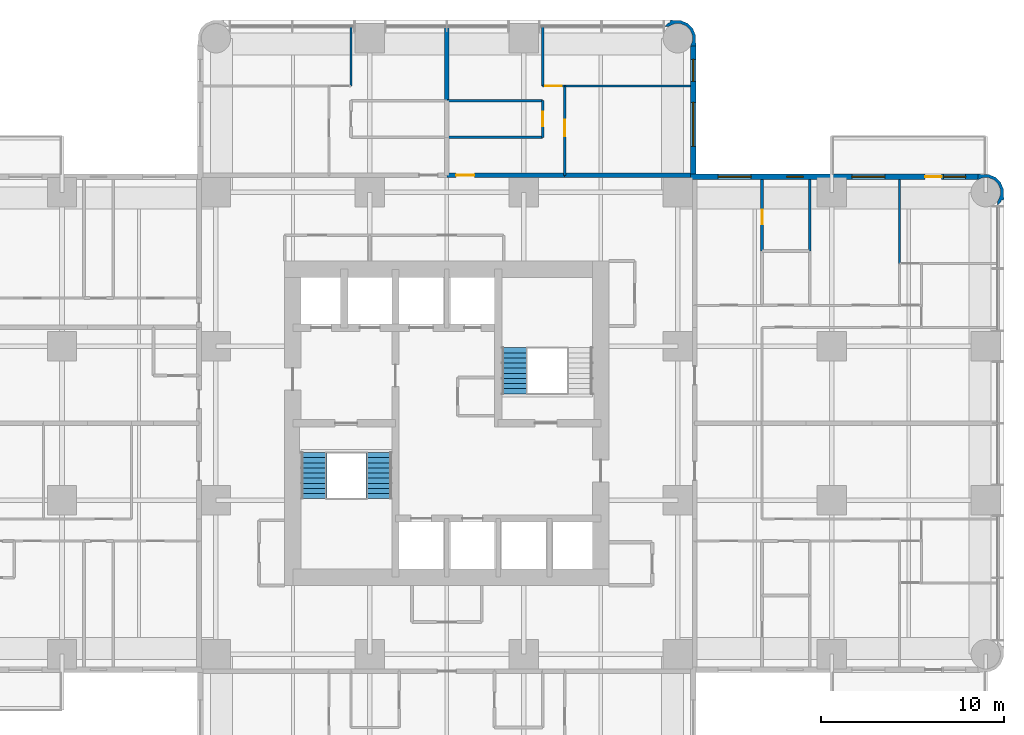
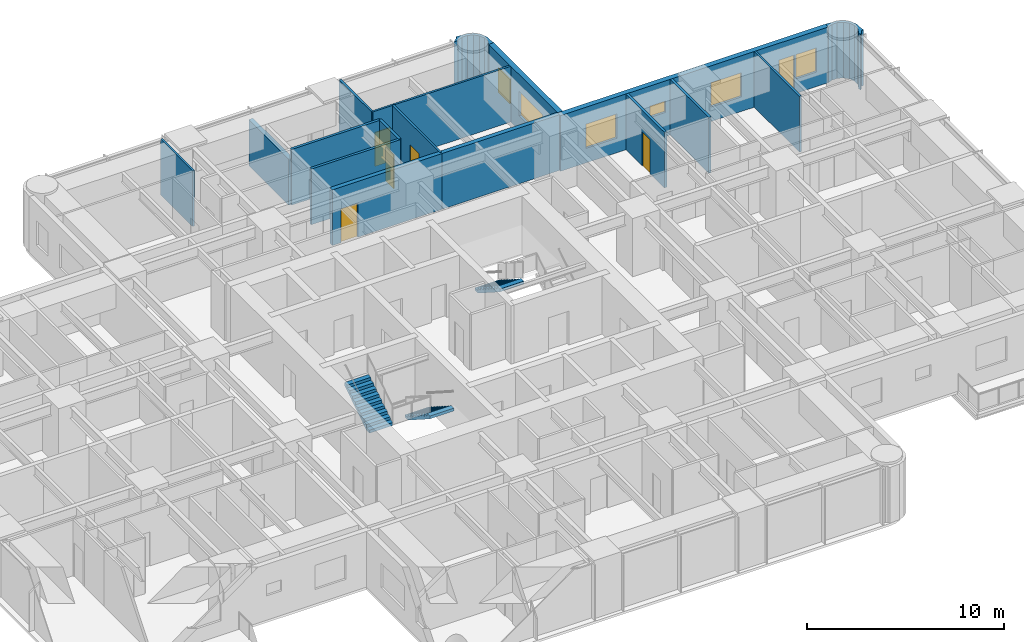
# One storey, part 12 of 15: 18 walls, 6 doors, 6 windows, 3 stair flights, 12 openings, 2 elements without a shape of their own.
"""IFC4 building model written with IfcOpenShell, lengths in metres."""

from ifc_helpers import new_model, si_unit, direction, frame, frame_2d, origin, place, context, subcontext, project, spatial, polyline, rectangle, outline, extrude, material, layer, layer_set, type_object, element, fill, aggregate, save


model = new_model("IFC4")

# Units and contexts
model_context = context("Model", 3, precision=1e-05, world=origin(), true_north=direction((0.0, 1.0)))
body_context = subcontext(model_context, "Body", "Model", "MODEL_VIEW")
ifc_project = project(units=[si_unit("LENGTHUNIT", "METRE"), si_unit("AREAUNIT", "SQUARE_METRE"), si_unit("VOLUMEUNIT", "CUBIC_METRE"), si_unit("PLANEANGLEUNIT", "RADIAN"), si_unit("MASSUNIT", "GRAM", prefix="KILO")], contexts=[model_context])

# Site, building, storey
site_placement = place(None, origin())
site = spatial("IfcSite", under=ifc_project, at=site_placement, CompositionType="ELEMENT")
building_placement = place(site_placement, origin())
building = spatial("IfcBuilding", under=site, at=building_placement, Name="Torre Alcanfor", CompositionType="ELEMENT")
storey_placement = place(building_placement, frame((0.0, 0.0, 123.300048828125)))
storey = spatial("IfcBuildingStorey", under=building, at=storey_placement, Name="L31", CompositionType="ELEMENT", Elevation=123.300048828125)

# Wall, opening, door
ifc_material_1 = material(Name="Concrete block masonry, hollow blocks NMX-C-404 9 MPa", Category="masonry")
ifc_layer_1 = layer(ifc_material_1, 0.25)
ifc_layer_set_1 = layer_set([ifc_layer_1], Name="Apartment entrance wall 250 EI 60")
wall_type_1 = type_object("IfcWallType", Name="Apartment entrance wall 250 EI 60", PredefinedType="PARTITIONING", material=ifc_layer_set_1)
wall_1_placement = place(storey_placement, frame((29.39990234375, 42.925048828125, 0.0), z_axis=(0.0, 0.0, 1.0), x_axis=(1.0, 0.0, 0.0)))
wall_1 = element("IfcWall", 1, at=wall_1_placement, inside=storey, type_object=wall_type_1, Name="Partition L31-CORR / L31-N2-LIVING", PredefinedType="PARTITIONING", context=body_context, shape_type="SweptSolid", body=[
    extrude(rectangle(XDim=6.42919921875, YDim=0.25, at=frame_2d((3.214599609375, 0.0))), origin(), (0.0, 0.0, 1.0), 3.449951171875),
])
opening_1_placement = place(wall_1_placement, frame((0.5, 0.0, 0.0)))
opening_1 = element("IfcOpeningElement", 2, at=opening_1_placement, cuts=wall_1, Name="Opening D-A1", PredefinedType="OPENING", context=body_context, shape_type="SweptSolid", body=[
    extrude(rectangle(XDim=1.0, YDim=2.10009765625, at=frame_2d((0.5, 1.050048828125))), frame((0.0, 0.135009765625, 0.0), z_axis=(0.0, -1.0, 0.0), x_axis=(1.0, 0.0, 0.0)), (0.0, 0.0, 1.0), 0.27001953125),
])
ifc_material_2 = material(Name="Galvanised steel sheet ASTM A653", Category="steel")
door_type_1 = type_object("IfcDoorType", Name="Apartment entrance door FD60 1000x2100", OperationType="SINGLE_SWING_LEFT", PredefinedType="DOOR", material=ifc_material_2)
door_1_placement = place(opening_1_placement, origin())
door_1 = element("IfcDoor", 3, at=door_1_placement, inside=storey, type_object=door_type_1, Name="Apartment entrance L31-N2", OperationType="SINGLE_SWING_LEFT", OverallHeight=2.10009765625, OverallWidth=1.0, PredefinedType="DOOR", context=body_context, shape_type="SweptSolid", body=[
    extrude(rectangle(XDim=1.0, YDim=2.10009765625, at=frame_2d((0.5, 1.050048828125))), frame((0.0, 0.02490234375, 0.0), z_axis=(0.0, -1.0, 0.0), x_axis=(1.0, 0.0, 0.0)), (0.0, 0.0, 1.0), 0.050048828125),
])
fill(opening_1, door_1)

# Walls
wall_2_placement = place(storey_placement, frame((35.8291015625, 42.925048828125, 0.0), z_axis=(0.0, 0.0, 1.0), x_axis=(1.0, 0.0, 0.0)))
element("IfcWall", 4, at=wall_2_placement, inside=storey, type_object=wall_type_1, Name="Partition L31-CORR / L31-N2-BED2", PredefinedType="PARTITIONING", context=body_context, shape_type="SweptSolid", body=[
    extrude(rectangle(XDim=6.870849609375, YDim=0.25, at=frame_2d((3.435546875, 0.0))), origin(), (0.0, 0.0, 1.0), 3.449951171875),
])
ifc_material_3 = material(Name="Gypsum board on steel studs", Category="steel")
ifc_layer_2 = layer(ifc_material_3, 0.1201171875)
ifc_layer_set_2 = layer_set([ifc_layer_2], Name="Apartment partition 120")
wall_type_2 = type_object("IfcWallType", Name="Apartment partition 120", PredefinedType="PARTITIONING", material=ifc_layer_set_2)
wall_3_placement = place(storey_placement, frame((24.1708984375, 47.800048828125, 0.0), z_axis=(0.0, 0.0, 1.0), x_axis=(0.0, 1.0, 0.0)))
element("IfcWall", 5, at=wall_3_placement, inside=storey, type_object=wall_type_2, Name="Partition L31-N1-LIVING / L31-N1-MASTER", PredefinedType="PARTITIONING", context=body_context, shape_type="SweptSolid", body=[
    extrude(rectangle(XDim=3.25, YDim=0.1201171875, at=frame_2d((1.625, 0.0))), origin(), (0.0, 0.0, 1.0), 3.449951171875),
])

# Wall, opening, door
wall_4_placement = place(storey_placement, frame((35.8291015625, 47.800048828125, 0.0), z_axis=(0.0, 0.0, 1.0), x_axis=(0.0, -1.0, 0.0)))
wall_4 = element("IfcWall", 6, at=wall_4_placement, inside=storey, type_object=wall_type_2, Name="Partition L31-N2-LIVING / L31-N2-BED2", PredefinedType="PARTITIONING", context=body_context, shape_type="SweptSolid", body=[
    extrude(rectangle(XDim=4.875, YDim=0.1201171875, at=frame_2d((2.4375, 0.0))), origin(), (0.0, 0.0, 1.0), 3.449951171875),
])
opening_2_placement = place(wall_4_placement, frame((1.85009765625, 0.0, 0.0)))
opening_2 = element("IfcOpeningElement", 7, at=opening_2_placement, cuts=wall_4, Name="Opening D-R1", PredefinedType="OPENING", context=body_context, shape_type="SweptSolid", body=[
    extrude(rectangle(XDim=0.89990234375, YDim=2.10009765625, at=frame_2d((0.449951171875, 1.050048828125))), frame((0.0, 0.070068359375, 0.0), z_axis=(0.0, -1.0, 0.0), x_axis=(1.0, 0.0, 0.0)), (0.0, 0.0, 1.0), 0.14013671875),
])
ifc_material_4 = material(Name="Timber", Category="wood")
door_type_2 = type_object("IfcDoorType", Name="Internal door 900x2100", OperationType="SINGLE_SWING_LEFT", PredefinedType="DOOR", material=ifc_material_4)
door_2_placement = place(opening_2_placement, origin())
door_2 = element("IfcDoor", 8, at=door_2_placement, inside=storey, type_object=door_type_2, Name="Door L31-N2 bed2", OperationType="SINGLE_SWING_LEFT", OverallHeight=2.10009765625, OverallWidth=0.89990234375, PredefinedType="DOOR", context=body_context, shape_type="SweptSolid", body=[
    extrude(rectangle(XDim=0.89990234375, YDim=2.10009765625, at=frame_2d((0.449951171875, 1.050048828125))), frame((0.0, 0.02490234375, 0.0), z_axis=(0.0, -1.0, 0.0), x_axis=(1.0, 0.0, 0.0)), (0.0, 0.0, 1.0), 0.050048828125),
])
fill(opening_2, door_2)

# Wall
wall_5_placement = place(storey_placement, frame((34.62890625, 51.050048828125, 0.0), z_axis=(0.0, 0.0, 1.0), x_axis=(0.0, -1.0, 0.0)))
element("IfcWall", 9, at=wall_5_placement, inside=storey, type_object=wall_type_2, Name="Partition L31-N2-LIVING / L31-N2-MASTER", PredefinedType="PARTITIONING", context=body_context, shape_type="SweptSolid", body=[
    extrude(rectangle(XDim=3.25, YDim=0.1201171875, at=frame_2d((1.625, 0.0))), origin(), (0.0, 0.0, 1.0), 3.449951171875),
])

# Wall, opening, door
wall_6_placement = place(storey_placement, frame((34.62890625, 47.800048828125, 0.0), z_axis=(0.0, 0.0, 1.0), x_axis=(1.0, 0.0, 0.0)))
wall_6 = element("IfcWall", 10, at=wall_6_placement, inside=storey, type_object=wall_type_2, Name="Partition L31-N2-LIVING / L31-N2-MASTER", PredefinedType="PARTITIONING", context=body_context, shape_type="SweptSolid", body=[
    extrude(rectangle(XDim=1.2001953125, YDim=0.1201171875, at=frame_2d((0.60009765625, 0.0))), origin(), (0.0, 0.0, 1.0), 3.449951171875),
])
opening_3_placement = place(wall_6_placement, frame((0.15087890625, 0.0, 0.0)))
opening_3 = element("IfcOpeningElement", 11, at=opening_3_placement, cuts=wall_6, Name="Opening D-R1", PredefinedType="OPENING", context=body_context, shape_type="SweptSolid", body=[
    extrude(rectangle(XDim=0.89990234375, YDim=2.10009765625, at=frame_2d((0.449951171875, 1.050048828125))), frame((0.0, 0.070068359375, 0.0), z_axis=(0.0, -1.0, 0.0), x_axis=(1.0, 0.0, 0.0)), (0.0, 0.0, 1.0), 0.14013671875),
])
door_3_placement = place(opening_3_placement, origin())
door_3 = element("IfcDoor", 12, at=door_3_placement, inside=storey, type_object=door_type_2, Name="Door L31-N2 master", OperationType="SINGLE_SWING_LEFT", OverallHeight=2.10009765625, OverallWidth=0.89990234375, PredefinedType="DOOR", context=body_context, shape_type="SweptSolid", body=[
    extrude(rectangle(XDim=0.89990234375, YDim=2.10009765625, at=frame_2d((0.449951171875, 1.050048828125))), frame((0.0, 0.02490234375, 0.0), z_axis=(0.0, -1.0, 0.0), x_axis=(1.0, 0.0, 0.0)), (0.0, 0.0, 1.0), 0.050048828125),
])
fill(opening_3, door_3)

# Walls
wall_7_placement = place(storey_placement, frame((35.8291015625, 47.800048828125, 0.0), z_axis=(0.0, 0.0, 1.0), x_axis=(1.0, 0.0, 0.0)))
element("IfcWall", 13, at=wall_7_placement, inside=storey, type_object=wall_type_2, Name="Partition L31-N2-BED2 / L31-N2-MASTER", PredefinedType="PARTITIONING", context=body_context, shape_type="SweptSolid", body=[
    extrude(rectangle(XDim=6.870849609375, YDim=0.1201171875, at=frame_2d((3.435546875, 0.0))), origin(), (0.0, 0.0, 1.0), 3.449951171875),
])
wall_8_placement = place(storey_placement, frame((54.10009765625, 38.114013671875, 0.0), z_axis=(0.0, 0.0, 1.0), x_axis=(0.0, 1.0, 0.0)))
element("IfcWall", 14, at=wall_8_placement, inside=storey, type_object=wall_type_2, Name="Partition L31-E1-BED3 / L31-E1-MASTER", PredefinedType="PARTITIONING", context=body_context, shape_type="SweptSolid", body=[
    extrude(rectangle(XDim=4.5859375, YDim=0.1201171875, at=frame_2d((2.29296875, 0.0))), origin(), (0.0, 0.0, 1.0), 3.449951171875),
])

# Wall, openings, door, windows
ifc_material_5 = material(Name="Limestone cladding", Category="masonry")
ifc_layer_3 = layer(ifc_material_5, 0.0400390625, Name="Facing")
ifc_material_6 = material(Name="Ventilated air cavity")
ifc_layer_4 = layer(ifc_material_6, 0.02001953125, ventilated=True, Name="Ventilated joint")
ifc_material_7 = material(Name="Mineral wool insulation", Category="insulation")
ifc_layer_5 = layer(ifc_material_7, 0.10009765625, Name="Insulation")
ifc_material_8 = material(Name="Concrete f'c 35 MPa", Category="concrete")
ifc_layer_6 = layer(ifc_material_8, 0.139892578125, Name="Backing")
ifc_layer_set_3 = layer_set([ifc_layer_3, ifc_layer_4, ifc_layer_5, ifc_layer_6], Name="External wall stone-clad 300")
wall_type_3 = type_object("IfcWallType", Name="External wall stone-clad 300", PredefinedType="SOLIDWALL", material=ifc_layer_set_3)
wall_9_placement = place(storey_placement, frame((58.39990234375, 42.85009765625, 0.0), z_axis=(0.0, 0.0, 1.0), x_axis=(-1.0, 0.0, 0.0)))
wall_9 = element("IfcWall", 15, at=wall_9_placement, inside=storey, type_object=wall_type_3, Name="External wall L31 9", PredefinedType="SOLIDWALL", context=body_context, shape_type="SweptSolid", body=[
    extrude(rectangle(XDim=15.699951171875, YDim=0.300048828125, at=frame_2d((7.85009765625, 0.0))), origin(), (0.0, 0.0, 1.0), 3.449951171875),
])
opening_4_placement = place(wall_9_placement, frame((12.39990234375, 0.0, 0.89990234375)))
opening_4 = element("IfcOpeningElement", 16, at=opening_4_placement, cuts=wall_9, Name="Opening W2", PredefinedType="OPENING", context=body_context, shape_type="SweptSolid", body=[
    extrude(rectangle(XDim=1.800048828125, YDim=1.5, at=frame_2d((0.89990234375, 0.75))), frame((0.0, 0.159912109375, 0.0), z_axis=(0.0, -1.0, 0.0), x_axis=(1.0, 0.0, 0.0)), (0.0, 0.0, 1.0), 0.320068359375),
])
opening_5_placement = place(wall_9_placement, frame((9.550048828125, 0.0, 1.5)))
opening_5 = element("IfcOpeningElement", 17, at=opening_5_placement, cuts=wall_9, Name="Opening W3", PredefinedType="OPENING", context=body_context, shape_type="SweptSolid", body=[
    extrude(rectangle(XDim=0.89990234375, YDim=0.699951171875, at=frame_2d((0.449951171875, 0.35009765625))), frame((0.0, 0.159912109375, 0.0), z_axis=(0.0, -1.0, 0.0), x_axis=(1.0, 0.0, 0.0)), (0.0, 0.0, 1.0), 0.320068359375),
])
opening_6_placement = place(wall_9_placement, frame((5.10009765625, 0.0, 0.89990234375)))
opening_6 = element("IfcOpeningElement", 18, at=opening_6_placement, cuts=wall_9, Name="Opening W2", PredefinedType="OPENING", context=body_context, shape_type="SweptSolid", body=[
    extrude(rectangle(XDim=1.800048828125, YDim=1.5, at=frame_2d((0.89990234375, 0.75))), frame((0.0, 0.159912109375, 0.0), z_axis=(0.0, -1.0, 0.0), x_axis=(1.0, 0.0, 0.0)), (0.0, 0.0, 1.0), 0.320068359375),
])
opening_7_placement = place(wall_9_placement, frame((2.0, 0.0, 0.0)))
opening_7 = element("IfcOpeningElement", 19, at=opening_7_placement, cuts=wall_9, Name="Opening D-B1", PredefinedType="OPENING", context=body_context, shape_type="SweptSolid", body=[
    extrude(rectangle(XDim=0.89990234375, YDim=2.39990234375, at=frame_2d((0.449951171875, 1.199951171875))), frame((0.0, 0.159912109375, 0.0), z_axis=(0.0, -1.0, 0.0), x_axis=(1.0, 0.0, 0.0)), (0.0, 0.0, 1.0), 0.320068359375),
])
opening_8_placement = place(wall_9_placement, frame((0.699951171875, 0.0, 0.89990234375)))
opening_8 = element("IfcOpeningElement", 20, at=opening_8_placement, cuts=wall_9, Name="Opening W4", PredefinedType="OPENING", context=body_context, shape_type="SweptSolid", body=[
    extrude(rectangle(XDim=1.199951171875, YDim=1.5, at=frame_2d((0.60009765625, 0.75))), frame((0.0, 0.159912109375, 0.0), z_axis=(0.0, -1.0, 0.0), x_axis=(1.0, 0.0, 0.0)), (0.0, 0.0, 1.0), 0.320068359375),
])
ifc_material_9 = material(Name="Aluminium and glass", Category="aluminium")
door_type_3 = type_object("IfcDoorType", Name="Balcony door glazed 900x2400", OperationType="SINGLE_SWING_LEFT", PredefinedType="DOOR", material=ifc_material_9)
door_4_placement = place(opening_7_placement, origin())
door_4 = element("IfcDoor", 21, at=door_4_placement, inside=storey, type_object=door_type_3, Name="Balcony door L31-E1", OperationType="SINGLE_SWING_RIGHT", OverallHeight=2.39990234375, OverallWidth=0.89990234375, PredefinedType="DOOR", context=body_context, shape_type="SweptSolid", body=[
    extrude(rectangle(XDim=0.89990234375, YDim=2.39990234375, at=frame_2d((0.449951171875, 1.199951171875))), frame((0.0, 0.02490234375, 0.0), z_axis=(0.0, -1.0, 0.0), x_axis=(1.0, 0.0, 0.0)), (0.0, 0.0, 1.0), 0.050048828125),
])
fill(opening_7, door_4)
ifc_material_10 = material(Name="Aluminium frame with clear double glazing", Category="aluminium")
window_type_1 = type_object("IfcWindowType", Name="Window bathroom 900x700", PartitioningType="SINGLE_PANEL", PredefinedType="WINDOW", material=ifc_material_10)
window_1_placement = place(opening_5_placement, origin())
window_1 = element("IfcWindow", 22, at=window_1_placement, inside=storey, type_object=window_type_1, Name="Window W3 L31-E1", OverallHeight=0.699951171875, OverallWidth=0.89990234375, PartitioningType="SINGLE_PANEL", PredefinedType="WINDOW", context=body_context, shape_type="SweptSolid", body=[
    extrude(rectangle(XDim=0.89990234375, YDim=0.699951171875, at=frame_2d((0.449951171875, 0.35009765625))), frame((0.0, 0.030029296875, 0.0), z_axis=(0.0, -1.0, 0.0), x_axis=(1.0, 0.0, 0.0)), (0.0, 0.0, 1.0), 0.06005859375),
])
fill(opening_5, window_1)
ifc_material_11 = material(Name="Aluminium frame with clear double glazing", Category="aluminium")
window_type_2 = type_object("IfcWindowType", Name="Window bedroom 1200x1500", PartitioningType="SINGLE_PANEL", PredefinedType="WINDOW", material=ifc_material_11)
window_2_placement = place(opening_8_placement, origin())
window_2 = element("IfcWindow", 23, at=window_2_placement, inside=storey, type_object=window_type_2, Name="Window W4 L31-E1", OverallHeight=1.5, OverallWidth=1.199951171875, PartitioningType="SINGLE_PANEL", PredefinedType="WINDOW", context=body_context, shape_type="SweptSolid", body=[
    extrude(rectangle(XDim=1.199951171875, YDim=1.5, at=frame_2d((0.60009765625, 0.75))), frame((0.0, 0.030029296875, 0.0), z_axis=(0.0, -1.0, 0.0), x_axis=(1.0, 0.0, 0.0)), (0.0, 0.0, 1.0), 0.06005859375),
])
fill(opening_8, window_2)
ifc_material_12 = material(Name="Aluminium frame with clear double glazing", Category="aluminium")
window_type_3 = type_object("IfcWindowType", Name="Window bedroom 1800x1500", PartitioningType="SINGLE_PANEL", PredefinedType="WINDOW", material=ifc_material_12)
window_3_placement = place(opening_4_placement, origin())
window_3 = element("IfcWindow", 24, at=window_3_placement, inside=storey, type_object=window_type_3, Name="Window W2 L31-E1", OverallHeight=1.5, OverallWidth=1.800048828125, PartitioningType="SINGLE_PANEL", PredefinedType="WINDOW", context=body_context, shape_type="SweptSolid", body=[
    extrude(rectangle(XDim=1.800048828125, YDim=1.5, at=frame_2d((0.89990234375, 0.75))), frame((0.0, 0.030029296875, 0.0), z_axis=(0.0, -1.0, 0.0), x_axis=(1.0, 0.0, 0.0)), (0.0, 0.0, 1.0), 0.06005859375),
])
fill(opening_4, window_3)
window_4_placement = place(opening_6_placement, origin())
window_4 = element("IfcWindow", 25, at=window_4_placement, inside=storey, type_object=window_type_3, Name="Window W2 L31-E1", OverallHeight=1.5, OverallWidth=1.800048828125, PartitioningType="SINGLE_PANEL", PredefinedType="WINDOW", context=body_context, shape_type="SweptSolid", body=[
    extrude(rectangle(XDim=1.800048828125, YDim=1.5, at=frame_2d((0.89990234375, 0.75))), frame((0.0, 0.030029296875, 0.0), z_axis=(0.0, -1.0, 0.0), x_axis=(1.0, 0.0, 0.0)), (0.0, 0.0, 1.0), 0.06005859375),
])
fill(opening_6, window_4)

# Wall, openings, windows
wall_10_placement = place(storey_placement, frame((42.85009765625, 43.0, 0.0), z_axis=(0.0, 0.0, 1.0), x_axis=(0.0, 1.0, 0.0)))
wall_10 = element("IfcWall", 26, at=wall_10_placement, inside=storey, type_object=wall_type_3, Name="External wall L31 10", PredefinedType="SOLIDWALL", context=body_context, shape_type="SweptSolid", body=[
    extrude(rectangle(XDim=7.0, YDim=0.300048828125, at=frame_2d((3.5, 0.0))), origin(), (0.0, 0.0, 1.0), 3.449951171875),
])
opening_9_placement = place(wall_10_placement, frame((1.5, 0.0, 0.89990234375)))
opening_9 = element("IfcOpeningElement", 27, at=opening_9_placement, cuts=wall_10, Name="Opening W1", PredefinedType="OPENING", context=body_context, shape_type="SweptSolid", body=[
    extrude(rectangle(XDim=2.39990234375, YDim=1.5, at=frame_2d((1.199951171875, 0.75))), frame((0.0, 0.159912109375, 0.0), z_axis=(0.0, -1.0, 0.0), x_axis=(1.0, 0.0, 0.0)), (0.0, 0.0, 1.0), 0.320068359375),
])
opening_10_placement = place(wall_10_placement, frame((5.050048828125, 0.0, 0.89990234375)))
opening_10 = element("IfcOpeningElement", 28, at=opening_10_placement, cuts=wall_10, Name="Opening W4", PredefinedType="OPENING", context=body_context, shape_type="SweptSolid", body=[
    extrude(rectangle(XDim=1.199951171875, YDim=1.5, at=frame_2d((0.60009765625, 0.75))), frame((0.0, 0.159912109375, 0.0), z_axis=(0.0, -1.0, 0.0), x_axis=(1.0, 0.0, 0.0)), (0.0, 0.0, 1.0), 0.320068359375),
])
window_5_placement = place(opening_10_placement, origin())
window_5 = element("IfcWindow", 29, at=window_5_placement, inside=storey, type_object=window_type_2, Name="Window W4 L31-N2", OverallHeight=1.5, OverallWidth=1.199951171875, PartitioningType="SINGLE_PANEL", PredefinedType="WINDOW", context=body_context, shape_type="SweptSolid", body=[
    extrude(rectangle(XDim=1.199951171875, YDim=1.5, at=frame_2d((0.60009765625, 0.75))), frame((0.0, 0.030029296875, 0.0), z_axis=(0.0, -1.0, 0.0), x_axis=(1.0, 0.0, 0.0)), (0.0, 0.0, 1.0), 0.06005859375),
])
fill(opening_10, window_5)
ifc_material_13 = material(Name="Aluminium frame with clear double glazing", Category="aluminium")
window_type_4 = type_object("IfcWindowType", Name="Window bedroom 2400x1500", PartitioningType="SINGLE_PANEL", PredefinedType="WINDOW", material=ifc_material_13)
window_6_placement = place(opening_9_placement, origin())
window_6 = element("IfcWindow", 30, at=window_6_placement, inside=storey, type_object=window_type_4, Name="Window W1 L31-N2", OverallHeight=1.5, OverallWidth=2.39990234375, PartitioningType="SINGLE_PANEL", PredefinedType="WINDOW", context=body_context, shape_type="SweptSolid", body=[
    extrude(rectangle(XDim=2.39990234375, YDim=1.5, at=frame_2d((1.199951171875, 0.75))), frame((0.0, 0.030029296875, 0.0), z_axis=(0.0, -1.0, 0.0), x_axis=(1.0, 0.0, 0.0)), (0.0, 0.0, 1.0), 0.06005859375),
])
fill(opening_9, window_6)

# Walls
ifc_material_14 = material(Name="Concrete block masonry, hollow blocks NMX-C-404 9 MPa", Category="masonry")
ifc_layer_7 = layer(ifc_material_14, 0.25)
ifc_layer_set_4 = layer_set([ifc_layer_7], Name="Party wall 250 EI 60")
wall_type_4 = type_object("IfcWallType", Name="Party wall 250 EI 60", PredefinedType="PARTITIONING", material=ifc_layer_set_4)
wall_11_placement = place(storey_placement, frame((29.39990234375, 51.050048828125, 0.0), z_axis=(0.0, 0.0, 1.0), x_axis=(0.0, -1.0, 0.0)))
element("IfcWall", 31, at=wall_11_placement, inside=storey, type_object=wall_type_4, Name="Partition L31-N1-LIVING / L31-N2-LIVING", PredefinedType="PARTITIONING", context=body_context, shape_type="SweptSolid", body=[
    extrude(rectangle(XDim=4.050048828125, YDim=0.25, at=frame_2d((2.02490234375, 0.0))), origin(), (0.0, 0.0, 1.0), 2.847900390625),
])
ifc_layer_8 = layer(ifc_material_5, 0.0400390625, Name="Facing")
ifc_layer_9 = layer(ifc_material_6, 0.02001953125, ventilated=True, Name="Ventilated joint")
ifc_layer_10 = layer(ifc_material_7, 0.10009765625, Name="Insulation")
ifc_layer_11 = layer(ifc_material_8, 0.139892578125, Name="Backing")
ifc_layer_set_5 = layer_set([ifc_layer_8, ifc_layer_9, ifc_layer_10, ifc_layer_11], Name="Rounded corner pier stone-clad 300")
wall_type_5 = type_object("IfcWallType", Name="Rounded corner pier stone-clad 300", PredefinedType="SOLIDWALL", material=ifc_layer_set_5)
wall_12_placement = place(storey_placement, frame((59.395317512, 41.351928198, 0.0), z_axis=(0.0, 0.0, 1.0), x_axis=(0.93923434088, 0.343276641956, 0.0)))
element("IfcWall", 32, at=wall_12_placement, inside=storey, type_object=wall_type_5, Name="Corner pier L31 18", PredefinedType="SOLIDWALL", context=body_context, shape_type="SweptSolid", body=[
    extrude(outline(polyline([(0.5319791374717469, 0.3931546875748424), (0.6305370795958255, 0.662817672163305), (0.614285462759775, 1.044364627998893), (0.4533652442516045, 1.3906676424071163), (0.17222000156622597, 1.6491237258576117), (-0.09744298302223653, 1.7476816679816904), (-0.36918355555989557, 1.8896284089825286), (-0.509101456401082, 1.6213052972671853), (-0.49052773042177455, 1.6145168675800676), (-0.47941981662998623, 1.6086375342973744), (-0.2113919059229058, 1.6201101578142136), (0.08785145707704622, 1.5107410128550955), (0.32257352025202113, 1.2952455132706726), (0.4567838912150332, 1.0060128786275908), (0.47036434537540095, 0.687566849311498), (0.36107900819019806, 0.38855279157054984), (0.14535420334677107, 0.1539145361694899), (0.10800994465551556, 0.13637103018492347), (0.030906792653685306, -0.07458980809856762), (0.2410056377422186, 0.023039004395991533), (0.3334055822831027, 0.12365495968313633), (0.46532832919806827, 0.0941544704520565), (0.5319791374717469, 0.3931546875748424)])), origin(), (0.0, 0.0, 1.0), 3.449951171875),
])
wall_13_placement = place(storey_placement, frame((42.817059488, 50.073176205, 0.0), z_axis=(0.0, 0.0, 1.0), x_axis=(0.343276641956, 0.93923434088, 0.0)))
element("IfcWall", 33, at=wall_13_placement, inside=storey, type_object=wall_type_5, Name="Corner pier L31 19", PredefinedType="SOLIDWALL", context=body_context, shape_type="SweptSolid", body=[
    extrude(outline(polyline([(0.2655808672444785, -0.0550807599050476), (0.5354731570919448, 0.04356098999294611), (0.8166183997773234, 0.30201707344344164), (0.9775386182854939, 0.6483200878516648), (0.9937902351215443, 1.0298670436872528), (0.8952322929974657, 1.2995300282757154), (0.8283521794647835, 1.5984464376245864), (0.6966587378088214, 1.5690297561674216), (0.6042587932679374, 1.6696457114545662), (0.39415994817940425, 1.7672745239491254), (0.47126310018123446, 1.5563136856656343), (0.50860735887249, 1.538770179681068), (0.7241028584569131, 1.304048116506093), (0.833388195642116, 1.0050340587651447), (0.8200370467407522, 0.686671837222967), (0.68582667577774, 0.3974392025798854), (0.4511046126027651, 0.18194370299546214), (0.15186124960281305, 0.07257455803634424), (-0.11616666110426738, 0.08404718155318341), (-0.12750388015505948, 0.07808404049657515), (-0.14607760613436685, 0.07129561080945748), (-0.0059304000341767055, -0.19694369313197083), (0.2655808672444785, -0.0550807599050476)])), origin(), (0.0, 0.0, 1.0), 3.449951171875),
])
ifc_material_15 = material(Name="Cement board on steel studs", Category="steel")
ifc_layer_12 = layer(ifc_material_15, 0.14990234375)
ifc_layer_set_6 = layer_set([ifc_layer_12], Name="Wet area partition 150")
wall_type_6 = type_object("IfcWallType", Name="Wet area partition 150", PredefinedType="PARTITIONING", material=ifc_layer_set_6)
wall_14_placement = place(storey_placement, frame((29.39990234375, 47.0, 0.0), z_axis=(0.0, 0.0, 1.0), x_axis=(1.0, 0.0, 0.0)))
element("IfcWall", 34, at=wall_14_placement, inside=storey, type_object=wall_type_6, Name="Partition L31-N2-BATH / L31-N2-LIVING", PredefinedType="PARTITIONING", context=body_context, shape_type="SweptSolid", body=[
    extrude(rectangle(XDim=5.22900390625, YDim=0.14990234375, at=frame_2d((2.614501953125, 0.0))), origin(), (0.0, 0.0, 1.0), 3.449951171875),
])

# Wall, opening, door
wall_15_placement = place(storey_placement, frame((34.62890625, 47.0, 0.0), z_axis=(0.0, 0.0, 1.0), x_axis=(0.0, -1.0, 0.0)))
wall_15 = element("IfcWall", 35, at=wall_15_placement, inside=storey, type_object=wall_type_6, Name="Partition L31-N2-BATH / L31-N2-LIVING", PredefinedType="PARTITIONING", context=body_context, shape_type="SweptSolid", body=[
    extrude(rectangle(XDim=2.0, YDim=0.14990234375, at=frame_2d((1.0, 0.0))), origin(), (0.0, 0.0, 1.0), 3.449951171875),
])
opening_11_placement = place(wall_15_placement, frame((0.60009765625, 0.0, 0.0)))
opening_11 = element("IfcOpeningElement", 36, at=opening_11_placement, cuts=wall_15, Name="Opening D-R2", PredefinedType="OPENING", context=body_context, shape_type="SweptSolid", body=[
    extrude(rectangle(XDim=0.800048828125, YDim=2.10009765625, at=frame_2d((0.39990234375, 1.050048828125))), frame((0.0, 0.0849609375, 0.0), z_axis=(0.0, -1.0, 0.0), x_axis=(1.0, 0.0, 0.0)), (0.0, 0.0, 1.0), 0.169921875),
])
ifc_material_16 = material(Name="Timber", Category="wood")
door_type_4 = type_object("IfcDoorType", Name="Bathroom door 800x2100", OperationType="SINGLE_SWING_LEFT", PredefinedType="DOOR", material=ifc_material_16)
door_5_placement = place(opening_11_placement, frame((0.800048828125, 0.0, 0.0), z_axis=(0.0, 0.0, 1.0), x_axis=(-1.0, 0.0, 0.0)))
door_5 = element("IfcDoor", 37, at=door_5_placement, inside=storey, type_object=door_type_4, Name="Door L31-N2 bath", OperationType="SINGLE_SWING_RIGHT", OverallHeight=2.10009765625, OverallWidth=0.800048828125, PredefinedType="DOOR", context=body_context, shape_type="SweptSolid", body=[
    extrude(rectangle(XDim=0.800048828125, YDim=2.10009765625, at=frame_2d((0.400146484375, 1.050048828125))), frame((0.0, 0.025146484375, 0.0), z_axis=(0.0, -1.0, 0.0), x_axis=(1.0, 0.0, 0.0)), (0.0, 0.0, 1.0), 0.050048828125),
])
fill(opening_11, door_5)

# Wall
wall_16_placement = place(storey_placement, frame((34.62890625, 45.0, 0.0), z_axis=(0.0, 0.0, 1.0), x_axis=(-1.0, 0.0, 0.0)))
element("IfcWall", 38, at=wall_16_placement, inside=storey, type_object=wall_type_6, Name="Partition L31-N2-BATH / L31-N2-LIVING", PredefinedType="PARTITIONING", context=body_context, shape_type="SweptSolid", body=[
    extrude(rectangle(XDim=5.22900390625, YDim=0.14990234375, at=frame_2d((2.614501953125, 0.0))), origin(), (0.0, 0.0, 1.0), 3.449951171875),
])

# Wall, opening, door
wall_17_placement = place(storey_placement, frame((46.60009765625, 38.800048828125, 0.0), z_axis=(0.0, 0.0, 1.0), x_axis=(0.0, 1.0, 0.0)))
wall_17 = element("IfcWall", 39, at=wall_17_placement, inside=storey, type_object=wall_type_6, Name="Partition L31-E1-SERV / L31-E1-SBATH", PredefinedType="PARTITIONING", context=body_context, shape_type="SweptSolid", body=[
    extrude(rectangle(XDim=3.89990234375, YDim=0.14990234375, at=frame_2d((1.949951171875, 0.0))), origin(), (0.0, 0.0, 1.0), 3.449951171875),
])
opening_12_placement = place(wall_17_placement, frame((1.449951171875, 0.0, 0.0)))
opening_12 = element("IfcOpeningElement", 40, at=opening_12_placement, cuts=wall_17, Name="Opening D-R2", PredefinedType="OPENING", context=body_context, shape_type="SweptSolid", body=[
    extrude(rectangle(XDim=0.800048828125, YDim=2.10009765625, at=frame_2d((0.39990234375, 1.050048828125))), frame((0.0, 0.0849609375, 0.0), z_axis=(0.0, -1.0, 0.0), x_axis=(1.0, 0.0, 0.0)), (0.0, 0.0, 1.0), 0.169921875),
])
door_6_placement = place(opening_12_placement, frame((0.800048828125, 0.0, 0.0), z_axis=(0.0, 0.0, 1.0), x_axis=(-1.0, 0.0, 0.0)))
door_6 = element("IfcDoor", 41, at=door_6_placement, inside=storey, type_object=door_type_4, Name="Door L31-E1 sbath", OperationType="SINGLE_SWING_RIGHT", OverallHeight=2.10009765625, OverallWidth=0.800048828125, PredefinedType="DOOR", context=body_context, shape_type="SweptSolid", body=[
    extrude(rectangle(XDim=0.800048828125, YDim=2.10009765625, at=frame_2d((0.400146484375, 1.050048828125))), frame((0.0, 0.025146484375, 0.0), z_axis=(0.0, -1.0, 0.0), x_axis=(1.0, 0.0, 0.0)), (0.0, 0.0, 1.0), 0.050048828125),
])
fill(opening_12, door_6)

# Wall
wall_18_placement = place(storey_placement, frame((49.199951171875, 38.800048828125, 0.0), z_axis=(0.0, 0.0, 1.0), x_axis=(0.0, 1.0, 0.0)))
element("IfcWall", 42, at=wall_18_placement, inside=storey, type_object=wall_type_6, Name="Partition L31-E1-SBATH / L31-E1-BED3", PredefinedType="PARTITIONING", context=body_context, shape_type="SweptSolid", body=[
    extrude(rectangle(XDim=3.89990234375, YDim=0.14990234375, at=frame_2d((1.949951171875, 0.0))), origin(), (0.0, 0.0, 1.0), 3.449951171875),
])

# Stair, stair flights
ifc_material_17 = material(Name="Concrete f'c 35 MPa", Category="concrete")
stair_type_1 = type_object("IfcStairType", Name="Exit stair S1 1400 wide", PredefinedType="HALF_TURN_STAIR", material=ifc_material_17)
stair_1_placement = place(storey_placement, origin())
stair_1 = element("IfcStair", 43, at=stair_1_placement, inside=storey, type_object=stair_type_1, Name="Stair S1 L31 to L32", PredefinedType="HALF_TURN_STAIR")
ifc_material_18 = material(Name="Concrete f'c 35 MPa", Category="concrete")
stair_flight_type = type_object("IfcStairFlightType", Name="Stair flight 1400", PredefinedType="STRAIGHT", material=ifc_material_18)
stair_flight_1_placement = place(storey_placement, frame((25.699951171875, 27.800048828125, 0.0), z_axis=(0.0, 0.0, 1.0), x_axis=(0.0, -1.0, 0.0)))
stair_flight_1 = element("IfcStairFlight", 44, at=stair_flight_1_placement, type_object=stair_flight_type, Name="S1 flight 1", NumberOfRisers=10, NumberOfTreads=9, PredefinedType="STRAIGHT", RiserHeight=0.18, TreadLength=0.28, context=body_context, shape_type="SweptSolid", body=[
    extrude(outline(polyline([(0.0, 0.0), (0.0, 0.179931640625), (0.280029296875, 0.179931640625), (0.280029296875, 0.360107421875), (0.56005859375, 0.360107421875), (0.56005859375, 0.5400390625), (0.840087890625, 0.5400390625), (0.840087890625, 0.719970703125), (1.1201171875, 0.719970703125), (1.1201171875, 0.89990234375), (1.39990234375, 0.89990234375), (1.39990234375, 1.080078125), (1.679931640625, 1.080078125), (1.679931640625, 1.260009765625), (1.9599609375, 1.260009765625), (1.9599609375, 1.43994140625), (2.239990234375, 1.43994140625), (2.239990234375, 1.6201171875), (2.52001953125, 1.6201171875), (2.52001953125, 1.800048828125), (2.52001953125, 1.44189453125), (0.277099609375, 0.0), (0.0, 0.0)])), frame((0.0, 0.699951171875, 0.0), z_axis=(0.0, -1.0, 0.0), x_axis=(1.0, 0.0, 0.0)), (0.0, 0.0, 1.0), 1.39990234375),
])
stair_flight_2_placement = place(storey_placement, frame((22.14990234375, 25.280029296875, 1.800048828125), z_axis=(0.0, 0.0, 1.0), x_axis=(0.0, 1.0, 0.0)))
stair_flight_2 = element("IfcStairFlight", 45, at=stair_flight_2_placement, type_object=stair_flight_type, Name="S1 flight 2", NumberOfRisers=10, NumberOfTreads=9, PredefinedType="STRAIGHT", RiserHeight=0.18, TreadLength=0.28, context=body_context, shape_type="SweptSolid", body=[
    extrude(outline(polyline([(0.0, 0.0), (0.0, 0.179931640625), (0.280029296875, 0.179931640625), (0.280029296875, 0.360107421875), (0.56005859375, 0.360107421875), (0.56005859375, 0.5400390625), (0.840087890625, 0.5400390625), (0.840087890625, 0.719970703125), (1.1201171875, 0.719970703125), (1.1201171875, 0.89990234375), (1.39990234375, 0.89990234375), (1.39990234375, 1.080078125), (1.679931640625, 1.080078125), (1.679931640625, 1.260009765625), (1.9599609375, 1.260009765625), (1.9599609375, 1.43994140625), (2.239990234375, 1.43994140625), (2.239990234375, 1.6201171875), (2.52001953125, 1.6201171875), (2.52001953125, 1.800048828125), (2.52001953125, 1.44189453125), (0.277099609375, 0.0), (0.0, 0.0)])), frame((0.0, 0.699951171875, 0.0), z_axis=(0.0, -1.0, 0.0), x_axis=(1.0, 0.0, 0.0)), (0.0, 0.0, 1.0), 1.39990234375),
])
aggregate(stair_1, [stair_flight_1, stair_flight_2])

# Stair, stair flight
ifc_material_19 = material(Name="Concrete f'c 35 MPa", Category="concrete")
stair_type_2 = type_object("IfcStairType", Name="Exit stair S2 1400 wide", PredefinedType="HALF_TURN_STAIR", material=ifc_material_19)
stair_2_placement = place(storey_placement, origin())
stair_2 = element("IfcStair", 46, at=stair_2_placement, inside=storey, type_object=stair_type_2, Name="Stair S2 L31 to L32", PredefinedType="HALF_TURN_STAIR")
stair_flight_3_placement = place(storey_placement, frame((33.10009765625, 33.52001953125, 1.800048828125), z_axis=(0.0, 0.0, 1.0), x_axis=(0.0, -1.0, 0.0)))
stair_flight_3 = element("IfcStairFlight", 47, at=stair_flight_3_placement, type_object=stair_flight_type, Name="S2 flight 2", NumberOfRisers=10, NumberOfTreads=9, PredefinedType="STRAIGHT", RiserHeight=0.18, TreadLength=0.28, context=body_context, shape_type="SweptSolid", body=[
    extrude(outline(polyline([(0.0, 0.0), (0.0, 0.179931640625), (0.280029296875, 0.179931640625), (0.280029296875, 0.360107421875), (0.56005859375, 0.360107421875), (0.56005859375, 0.5400390625), (0.840087890625, 0.5400390625), (0.840087890625, 0.719970703125), (1.1201171875, 0.719970703125), (1.1201171875, 0.89990234375), (1.39990234375, 0.89990234375), (1.39990234375, 1.080078125), (1.679931640625, 1.080078125), (1.679931640625, 1.260009765625), (1.9599609375, 1.260009765625), (1.9599609375, 1.43994140625), (2.239990234375, 1.43994140625), (2.239990234375, 1.6201171875), (2.52001953125, 1.6201171875), (2.52001953125, 1.800048828125), (2.52001953125, 1.44189453125), (0.277099609375, 0.0), (0.0, 0.0)])), frame((0.0, 0.699951171875, 0.0), z_axis=(0.0, -1.0, 0.0), x_axis=(1.0, 0.0, 0.0)), (0.0, 0.0, 1.0), 1.39990234375),
])
aggregate(stair_2, [stair_flight_3])

save(model, "model.ifc")
